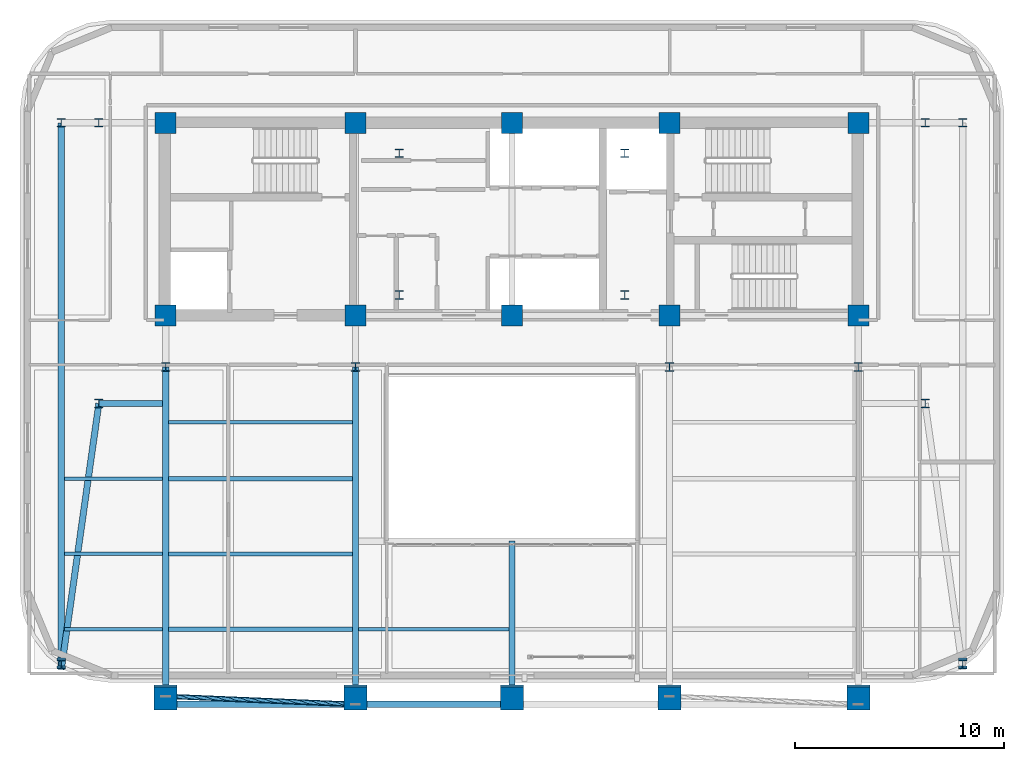
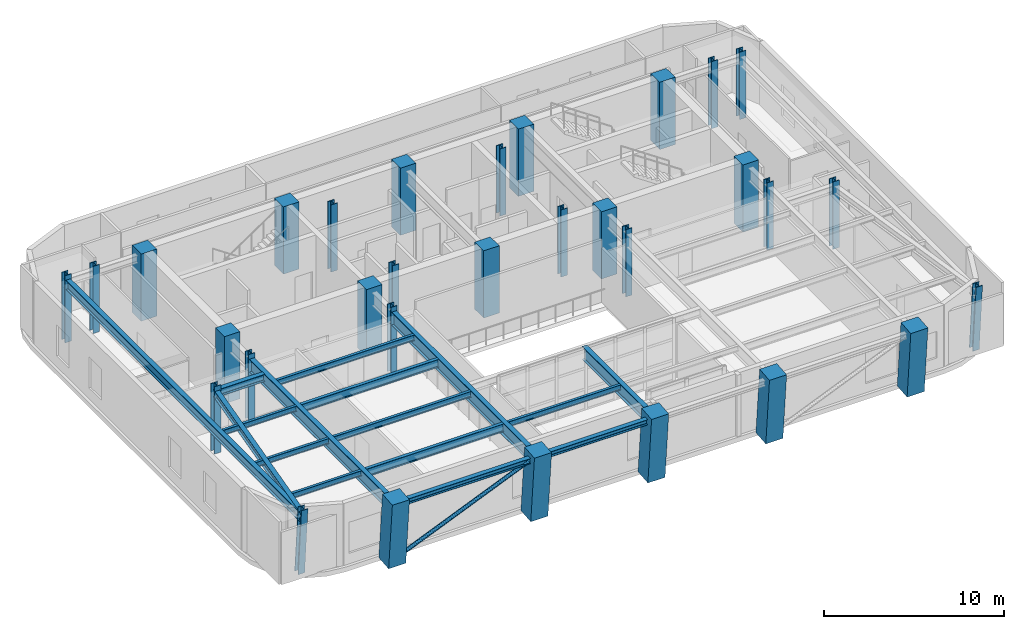
# One storey, part 1 of 13: 31 columns, 16 beams, 1 member.
"""IFC4 building model written with IfcOpenShell, lengths in metres."""

from ifc_helpers import new_model, si_unit, direction, frame, origin, origin_2d, place, context, subcontext, project, spatial, rectangle, hollow_circle, i_section, extrude, material, material_profile, profile_set, type_object, element, save


model = new_model("IFC4")

# Units and contexts
model_context = context("Model", 3, precision=1e-05, world=origin(), true_north=direction((0.0, 1.0)))
body_context = subcontext(model_context, "Body", "Model", "MODEL_VIEW")
ifc_project = project(units=[si_unit("LENGTHUNIT", "METRE"), si_unit("AREAUNIT", "SQUARE_METRE"), si_unit("VOLUMEUNIT", "CUBIC_METRE"), si_unit("PLANEANGLEUNIT", "RADIAN"), si_unit("MASSUNIT", "GRAM", prefix="KILO")], contexts=[model_context])

# Site, building, storey
site_placement = place(None, origin())
site = spatial("IfcSite", under=ifc_project, at=site_placement, CompositionType="ELEMENT")
building_placement = place(site_placement, origin())
building = spatial("IfcBuilding", under=site, at=building_placement, Name="Zarnavel Station Tower", CompositionType="ELEMENT")
storey_placement = place(building_placement, frame((0.0, 0.0, 183.85009765625)))
storey = spatial("IfcBuildingStorey", under=building, at=storey_placement, Name="L50", CompositionType="ELEMENT", Elevation=183.85009765625)

# Columns
ifc_material_1 = material(Name="Steel S355J2", Category="steel")
ifc_material_profile_1 = material_profile(ifc_material_1, i_section(OverallWidth=0.4130859375, OverallDepth=0.4150390625, WebThickness=0.030029296875, FlangeThickness=0.047119140625, FilletRadius=0.014892578125, at=origin_2d()), Name="HD400x347")
ifc_profile_set_1 = profile_set([ifc_material_profile_1], Name="Steel S355J2")
column_type_1 = type_object("IfcColumnType", Name="EC_HD347", PredefinedType="COLUMN", material=ifc_profile_set_1)
column_1_placement = place(storey_placement, frame((7.199951171875, 11.18896484375, 0.0), z_axis=(0.0, -0.079911042422, 0.996801999044), x_axis=(1.0, 0.0, 0.0)))
element("IfcColumn", 1, at=column_1_placement, inside=storey, type_object=column_type_1, Name="L50 Raked Wing Column 1", PredefinedType="COLUMN", context=body_context, shape_type="SweptSolid", body=[
    extrude(i_section(OverallWidth=0.4130859375, OverallDepth=0.4150390625, WebThickness=0.030029296875, FlangeThickness=0.047119140625, FilletRadius=0.014892578125, at=origin_2d()), origin(), (0.0, 0.0, 1.0), 4.564453125),
])
column_2_placement = place(storey_placement, frame((7.199951171875, 37.050048828125, 0.0), z_axis=(0.0, 0.0, 1.0), x_axis=(1.0, 0.0, 0.0)))
element("IfcColumn", 2, at=column_2_placement, inside=storey, type_object=column_type_1, Name="L50 Outer Wing North Column 1", PredefinedType="COLUMN", context=body_context, shape_type="SweptSolid", body=[
    extrude(i_section(OverallWidth=0.4130859375, OverallDepth=0.4150390625, WebThickness=0.030029296875, FlangeThickness=0.047119140625, FilletRadius=0.014892578125, at=origin_2d()), origin(), (0.0, 0.0, 1.0), 4.5498046875),
])
column_3_placement = place(storey_placement, frame((50.39990234375, 11.18896484375, 0.0), z_axis=(0.0, -0.079911042422, 0.996801999044), x_axis=(1.0, 0.0, 0.0)))
element("IfcColumn", 3, at=column_3_placement, inside=storey, type_object=column_type_1, Name="L50 Raked Wing Column 2", PredefinedType="COLUMN", context=body_context, shape_type="SweptSolid", body=[
    extrude(i_section(OverallWidth=0.4130859375, OverallDepth=0.4150390625, WebThickness=0.030029296875, FlangeThickness=0.047119140625, FilletRadius=0.014892578125, at=origin_2d()), origin(), (0.0, 0.0, 1.0), 4.564453125),
])
column_4_placement = place(storey_placement, frame((50.39990234375, 37.050048828125, 0.0), z_axis=(0.0, 0.0, 1.0), x_axis=(1.0, 0.0, 0.0)))
element("IfcColumn", 4, at=column_4_placement, inside=storey, type_object=column_type_1, Name="L50 Outer Wing North Column 2", PredefinedType="COLUMN", context=body_context, shape_type="SweptSolid", body=[
    extrude(i_section(OverallWidth=0.4130859375, OverallDepth=0.4150390625, WebThickness=0.030029296875, FlangeThickness=0.047119140625, FilletRadius=0.014892578125, at=origin_2d()), origin(), (0.0, 0.0, 1.0), 4.5498046875),
])
ifc_material_2 = material(Name="Steel S355J2", Category="steel")
ifc_material_profile_2 = material_profile(ifc_material_2, i_section(OverallWidth=0.4130859375, OverallDepth=0.4150390625, WebThickness=0.030029296875, FlangeThickness=0.047119140625, FilletRadius=0.014892578125, at=origin_2d()), Name="HD400x347")
ifc_profile_set_2 = profile_set([ifc_material_profile_2], Name="Steel S355J2")
column_type_2 = type_object("IfcColumnType", Name="IC_HD347", PredefinedType="COLUMN", material=ifc_profile_set_2)
for number, where, z_axis, x_axis, name in (
    (5, (23.39990234375, 28.800048828125, 0.0), (0.0, 0.0, 1.0), (1.0, 0.0, 0.0), "L50 Mast Spine Column 1"),
    (6, (34.199951171875, 28.800048828125, 0.0), (0.0, 0.0, 1.0), (1.0, 0.0, 0.0), "L50 Mast Spine Column 2"),
    (7, (34.199951171875, 35.60009765625, 0.0), (0.0, 0.0, 1.0), (1.0, 0.0, 0.0), "L50 Mast Spine Column 3"),
    (8, (23.39990234375, 35.60009765625, 0.0), (0.0, 0.0, 1.0), (1.0, 0.0, 0.0), "L50 Mast Spine Column 4"),
    (9, (12.199951171875, 25.35009765625, 0.0), (0.0, 0.0, 1.0), (1.0, 0.0, 0.0), "L50 Inner Spine Column 1"),
    (10, (21.300048828125, 25.35009765625, 0.0), (0.0, 0.0, 1.0), (1.0, 0.0, 0.0), "L50 Inner Spine Column 2"),
    (11, (36.35009765625, 25.35009765625, 0.0), (0.0, 0.0, 1.0), (1.0, 0.0, 0.0), "L50 Inner Spine Column 4"),
    (12, (45.39990234375, 25.35009765625, 0.0), (0.0, 0.0, 1.0), (1.0, 0.0, 0.0), "L50 Inner Spine Column 5"),
    (13, (9.0, 23.60009765625, 0.0), (0.0, 0.0, 1.0), (1.0, 0.0, 0.0), "L50 Inner Wing Spine Column 1-1"),
    (14, (9.0, 37.050048828125, 0.0), (0.0, 0.0, 1.0), (1.0, 0.0, 0.0), "L50 Inner Wing Spine Column 1-2"),
    (15, (48.60009765625, 23.60009765625, 0.0), (0.0, 0.0, 1.0), (1.0, 0.0, 0.0), "L50 Inner Wing Spine Column 2-1"),
    (16, (48.60009765625, 37.050048828125, 0.0), (0.0, 0.0, 1.0), (1.0, 0.0, 0.0), "L50 Inner Wing Spine Column 2-2"),
):
    element("IfcColumn", number, at=place(storey_placement, frame(where, z_axis=z_axis, x_axis=x_axis)), inside=storey, type_object=column_type_2, Name=name, PredefinedType="COLUMN", context=body_context, shape_type="SweptSolid", body=[
        extrude(i_section(OverallWidth=0.4130859375, OverallDepth=0.4150390625, WebThickness=0.030029296875, FlangeThickness=0.047119140625, FilletRadius=0.014892578125, at=origin_2d()), origin(), (0.0, 0.0, 1.0), 4.5498046875),
    ])
ifc_material_3 = material(Name="Concrete C50/60", Category="concrete")
ifc_material_profile_3 = material_profile(ifc_material_3, rectangle(XDim=1.0, YDim=1.0, at=origin_2d()), Name="RC1000x1000")
ifc_profile_set_3 = profile_set([ifc_material_profile_3], Name="Concrete C50/60")
column_type_3 = type_object("IfcColumnType", Name="IC_RC1000", PredefinedType="COLUMN", material=ifc_profile_set_3)
for number, where, z_axis, x_axis, name in (
    (17, (12.199951171875, 27.820068359375, 0.0), (0.0, 0.0, 1.0), (1.0, 0.0, 0.0), "L50 Core Spine Column 1-1"),
    (18, (12.199951171875, 37.050048828125, 0.0), (0.0, 0.0, 1.0), (1.0, 0.0, 0.0), "L50 Core Spine Column 1-2"),
    (19, (21.300048828125, 27.820068359375, 0.0), (0.0, 0.0, 1.0), (1.0, 0.0, 0.0), "L50 Core Spine Column 2-1"),
    (20, (21.300048828125, 37.050048828125, 0.0), (0.0, 0.0, 1.0), (1.0, 0.0, 0.0), "L50 Core Spine Column 2-2"),
    (21, (28.800048828125, 27.820068359375, 0.0), (0.0, 0.0, 1.0), (1.0, 0.0, 0.0), "L50 Core Spine Column 3-1"),
    (22, (28.800048828125, 37.050048828125, 0.0), (0.0, 0.0, 1.0), (1.0, 0.0, 0.0), "L50 Core Spine Column 3-2"),
    (23, (36.35009765625, 27.820068359375, 0.0), (0.0, 0.0, 1.0), (1.0, 0.0, 0.0), "L50 Core Spine Column 4-1"),
    (24, (36.35009765625, 37.050048828125, 0.0), (0.0, 0.0, 1.0), (1.0, 0.0, 0.0), "L50 Core Spine Column 4-2"),
    (25, (45.39990234375, 27.820068359375, 0.0), (0.0, 0.0, 1.0), (1.0, 0.0, 0.0), "L50 Core Spine Column 5-1"),
    (26, (45.39990234375, 37.050048828125, 0.0), (0.0, 0.0, 1.0), (1.0, 0.0, 0.0), "L50 Core Spine Column 5-2"),
):
    element("IfcColumn", number, at=place(storey_placement, frame(where, z_axis=z_axis, x_axis=x_axis)), inside=storey, type_object=column_type_3, Name=name, PredefinedType="COLUMN", context=body_context, shape_type="SweptSolid", body=[
        extrude(rectangle(XDim=1.0, YDim=1.0, at=origin_2d()), origin(), (0.0, 0.0, 1.0), 4.5498046875),
    ])
ifc_material_4 = material(Name="Concrete C50/60", Category="concrete")
ifc_material_profile_4 = material_profile(ifc_material_4, rectangle(XDim=1.10009765625, YDim=1.10009765625, at=origin_2d()), Name="RC1100x1100")
ifc_profile_set_4 = profile_set([ifc_material_profile_4], Name="Concrete C50/60")
column_type_4 = type_object("IfcColumnType", Name="MC_RC1100", PredefinedType="COLUMN", material=ifc_profile_set_4)
for number, where, z_axis, x_axis, name in (
    (27, (12.199951171875, 9.5673828125, 0.0), (0.0, -0.09020808765, 0.995922939249), (1.0, 0.0, 0.0), "L50 Raked South Mega-Column 1"),
    (28, (21.300048828125, 9.5673828125, 0.0), (0.0, -0.09020808765, 0.995922939249), (1.0, 0.0, 0.0), "L50 Raked South Mega-Column 2"),
    (29, (28.800048828125, 9.5673828125, 0.0), (0.0, -0.09020808765, 0.995922939249), (1.0, 0.0, 0.0), "L50 Raked South Mega-Column 3"),
    (30, (36.35009765625, 9.5673828125, 0.0), (0.0, -0.09020808765, 0.995922939249), (1.0, 0.0, 0.0), "L50 Raked South Mega-Column 4"),
    (31, (45.39990234375, 9.5673828125, 0.0), (0.0, -0.09020808765, 0.995922939249), (1.0, 0.0, 0.0), "L50 Raked South Mega-Column 5"),
):
    element("IfcColumn", number, at=place(storey_placement, frame(where, z_axis=z_axis, x_axis=x_axis)), inside=storey, type_object=column_type_4, Name=name, PredefinedType="COLUMN", context=body_context, shape_type="SweptSolid", body=[
        extrude(rectangle(XDim=1.10009765625, YDim=1.10009765625, at=origin_2d()), origin(), (0.0, 0.0, 1.0), 4.568359375),
    ])

# Member
ifc_material_5 = material(Name="Steel S355J2", Category="steel")
ifc_material_profile_5 = material_profile(ifc_material_5, hollow_circle(Radius=0.122314453125, WallThickness=0.010009765625, at=origin_2d()), Name="CHS244.5x10")
ifc_profile_set_5 = profile_set([ifc_material_profile_5], Name="Steel S355J2")
member_type = type_object("IfcMemberType", Name="DB_EXT_CHS245", PredefinedType="BRACE", material=ifc_profile_set_5)
member_placement = place(storey_placement, frame((12.199951171875, 9.5673828125, 0.0), z_axis=(0.906160274703, -0.038167935593, 0.421208695592), x_axis=(0.042083198808, 0.999114109788, 0.0)))
element("IfcMember", 32, at=member_placement, inside=storey, type_object=member_type, Name="L50 Persian Exterior Diagonal Frame Brace 1", PredefinedType="BRACE", context=body_context, shape_type="SweptSolid", body=[
    extrude(hollow_circle(Radius=0.122314453125, WallThickness=0.010009765625, at=origin_2d()), origin(), (0.0, 0.0, 1.0), 10.04248046875),
])

# Beams
ifc_material_6 = material(Name="Steel S355J2", Category="steel")
ifc_material_profile_6 = material_profile(ifc_material_6, i_section(OverallWidth=0.300048828125, OverallDepth=0.360107421875, WebThickness=0.012451171875, FlangeThickness=0.0224609375, FilletRadius=0.027099609375, at=origin_2d()), Name="HEB360")
ifc_profile_set_6 = profile_set([ifc_material_profile_6], Name="Steel S355J2")
beam_type_1 = type_object("IfcBeamType", Name="EB_HEB360", PredefinedType="SPANDREL", material=ifc_profile_set_6)
beam_1_placement = place(storey_placement, frame((12.199951171875, 9.18408203125, 4.0498046875), z_axis=(1.0, 0.0, 0.0), x_axis=(0.0, 1.0, 0.0)))
element("IfcBeam", 33, at=beam_1_placement, inside=storey, type_object=beam_type_1, Name="L50 South Raked Spandrel 1", PredefinedType="SPANDREL", context=body_context, shape_type="SweptSolid", body=[
    extrude(i_section(OverallWidth=0.300048828125, OverallDepth=0.360107421875, WebThickness=0.012451171875, FlangeThickness=0.0224609375, FilletRadius=0.027099609375, at=origin_2d()), origin(), (0.0, 0.0, 1.0), 9.10009765625),
])
beam_2_placement = place(storey_placement, frame((21.300048828125, 9.18408203125, 4.0498046875), z_axis=(1.0, 0.0, 0.0), x_axis=(0.0, 1.0, 0.0)))
element("IfcBeam", 34, at=beam_2_placement, inside=storey, type_object=beam_type_1, Name="L50 South Raked Spandrel 2", PredefinedType="SPANDREL", context=body_context, shape_type="SweptSolid", body=[
    extrude(i_section(OverallWidth=0.300048828125, OverallDepth=0.360107421875, WebThickness=0.012451171875, FlangeThickness=0.0224609375, FilletRadius=0.027099609375, at=origin_2d()), origin(), (0.0, 0.0, 1.0), 7.5),
])
ifc_material_7 = material(Name="Steel S355J2", Category="steel")
ifc_material_profile_7 = material_profile(ifc_material_7, i_section(OverallWidth=0.179931640625, OverallDepth=0.39990234375, WebThickness=0.008544921875, FlangeThickness=0.013427734375, FilletRadius=0.02099609375, at=origin_2d()), Name="IPE400")
ifc_profile_set_7 = profile_set([ifc_material_profile_7], Name="Steel S355J2")
beam_type_2 = type_object("IfcBeamType", Name="FB_IPE400", PredefinedType="BEAM", material=ifc_profile_set_7)
for number, where, z_axis, x_axis, name in (
    (35, (12.344970703125, 16.390380859375, 4.02978515625), (1.0, 0.0, 0.0), (0.0, 1.0, 0.0), "L50 West Bay Beam 2"),
    (36, (12.344970703125, 22.69677734375, 4.02978515625), (1.0, 0.0, 0.0), (0.0, 1.0, 0.0), "L50 West Bay Beam 4"),
):
    element("IfcBeam", number, at=place(storey_placement, frame(where, z_axis=z_axis, x_axis=x_axis)), inside=storey, type_object=beam_type_2, Name=name, PredefinedType="BEAM", context=body_context, shape_type="SweptSolid", body=[
        extrude(i_section(OverallWidth=0.179931640625, OverallDepth=0.39990234375, WebThickness=0.008544921875, FlangeThickness=0.013427734375, FilletRadius=0.02099609375, at=origin_2d()), origin(), (0.0, 0.0, 1.0), 8.81005859375),
    ])
ifc_material_8 = material(Name="Steel S355J2", Category="steel")
ifc_material_profile_8 = material_profile(ifc_material_8, i_section(OverallWidth=0.2099609375, OverallDepth=0.550048828125, WebThickness=0.010986328125, FlangeThickness=0.01708984375, FilletRadius=0.02392578125, at=origin_2d()), Name="IPE550")
ifc_profile_set_8 = profile_set([ifc_material_profile_8], Name="Steel S355J2")
beam_type_3 = type_object("IfcBeamType", Name="FB_IPE550", PredefinedType="BEAM", material=ifc_profile_set_8)
for number, where, z_axis, x_axis, name in (
    (37, (12.344970703125, 12.787353515625, 3.954833984375), (1.0, 0.0, 0.0), (0.0, 1.0, 0.0), "L50 West Bay Beam 1"),
    (38, (12.344970703125, 19.99365234375, 3.954833984375), (1.0, 0.0, 0.0), (0.0, 1.0, 0.0), "L50 West Bay Beam 3"),
):
    element("IfcBeam", number, at=place(storey_placement, frame(where, z_axis=z_axis, x_axis=x_axis)), inside=storey, type_object=beam_type_3, Name=name, PredefinedType="BEAM", context=body_context, shape_type="SweptSolid", body=[
        extrude(i_section(OverallWidth=0.2099609375, OverallDepth=0.550048828125, WebThickness=0.010986328125, FlangeThickness=0.01708984375, FilletRadius=0.02392578125, at=origin_2d()), origin(), (0.0, 0.0, 1.0), 8.81005859375),
    ])
ifc_material_9 = material(Name="Steel S355J2", Category="steel")
ifc_material_profile_9 = material_profile(ifc_material_9, i_section(OverallWidth=0.300048828125, OverallDepth=0.5, WebThickness=0.014404296875, FlangeThickness=0.028076171875, FilletRadius=0.027099609375, at=origin_2d()), Name="HEB500")
ifc_profile_set_9 = profile_set([ifc_material_profile_9], Name="Steel S355J2")
beam_type_4 = type_object("IfcBeamType", Name="FG_HEB500", PredefinedType="USERDEFINED", material=ifc_profile_set_9)
beam_3_placement = place(storey_placement, frame((7.199951171875, 10.849853515625, 3.97998046875), z_axis=(0.139791371244, 0.990180979683, 0.0), x_axis=(-0.990180979683, 0.139791371244, 0.0)))
element("IfcBeam", 39, at=beam_3_placement, inside=storey, type_object=beam_type_4, Name="L50 West Wing South Tie 1", ObjectType="GIRDER", PredefinedType="USERDEFINED", context=body_context, shape_type="SweptSolid", body=[
    extrude(i_section(OverallWidth=0.300048828125, OverallDepth=0.5, WebThickness=0.014404296875, FlangeThickness=0.028076171875, FilletRadius=0.027099609375, at=origin_2d()), origin(), (0.0, 0.0, 1.0), 12.876708984375),
])
beam_4_placement = place(storey_placement, frame((9.0, 23.60009765625, 3.97998046875), z_axis=(1.0, 0.0, 0.0), x_axis=(0.0, 1.0, 0.0)))
element("IfcBeam", 40, at=beam_4_placement, inside=storey, type_object=beam_type_4, Name="L50 West Wing South Tie 2", ObjectType="GIRDER", PredefinedType="USERDEFINED", context=body_context, shape_type="SweptSolid", body=[
    extrude(i_section(OverallWidth=0.300048828125, OverallDepth=0.5, WebThickness=0.014404296875, FlangeThickness=0.028076171875, FilletRadius=0.027099609375, at=origin_2d()), origin(), (0.0, 0.0, 1.0), 3.054931640625),
])
ifc_material_10 = material(Name="Steel S355J2", Category="steel")
ifc_material_profile_10 = material_profile(ifc_material_10, i_section(OverallWidth=0.300048828125, OverallDepth=0.64990234375, WebThickness=0.01611328125, FlangeThickness=0.031005859375, FilletRadius=0.027099609375, at=origin_2d()), Name="HEB650")
ifc_profile_set_10 = profile_set([ifc_material_profile_10], Name="Steel S355J2")
beam_type_5 = type_object("IfcBeamType", Name="FG_HEB650", PredefinedType="USERDEFINED", material=ifc_profile_set_10)
beam_5_placement = place(storey_placement, frame((7.199951171875, 10.849853515625, 3.90478515625), z_axis=(0.0, 1.0, 0.0), x_axis=(-1.0, 0.0, 0.0)))
element("IfcBeam", 41, at=beam_5_placement, inside=storey, type_object=beam_type_5, Name="L50 Wing NS Girder 1", ObjectType="GIRDER", PredefinedType="USERDEFINED", context=body_context, shape_type="SweptSolid", body=[
    extrude(i_section(OverallWidth=0.300048828125, OverallDepth=0.64990234375, WebThickness=0.01611328125, FlangeThickness=0.031005859375, FilletRadius=0.027099609375, at=origin_2d()), origin(), (0.0, 0.0, 1.0), 26.2001953125),
])
ifc_material_11 = material(Name="Steel S355J2", Category="steel")
ifc_material_profile_11 = material_profile(ifc_material_11, i_section(OverallWidth=0.300048828125, OverallDepth=0.89990234375, WebThickness=0.0185546875, FlangeThickness=0.034912109375, FilletRadius=0.030029296875, at=origin_2d()), Name="HEB900")
ifc_profile_set_11 = profile_set([ifc_material_profile_11], Name="Steel S355J2")
beam_type_6 = type_object("IfcBeamType", Name="FG_HEB900", PredefinedType="USERDEFINED", material=ifc_profile_set_11)
for number, where, z_axis, x_axis, name in (
    (42, (12.199951171875, 9.18408203125, 3.77978515625), (0.0, 1.0, 0.0), (-1.0, 0.0, 0.0), "L50 South-Zone NS Girder 1"),
    (43, (21.300048828125, 9.18408203125, 3.77978515625), (0.0, 1.0, 0.0), (-1.0, 0.0, 0.0), "L50 South-Zone NS Girder 2"),
):
    element("IfcBeam", number, at=place(storey_placement, frame(where, z_axis=z_axis, x_axis=x_axis)), inside=storey, type_object=beam_type_6, Name=name, ObjectType="GIRDER", PredefinedType="USERDEFINED", context=body_context, shape_type="SweptSolid", body=[
        extrude(i_section(OverallWidth=0.300048828125, OverallDepth=0.89990234375, WebThickness=0.0185546875, FlangeThickness=0.034912109375, FilletRadius=0.030029296875, at=origin_2d()), origin(), (0.0, 0.0, 1.0), 16.166015625),
    ])
beam_6_placement = place(storey_placement, frame((28.800048828125, 9.18408203125, 3.77978515625), z_axis=(0.0, 1.0, 0.0), x_axis=(-1.0, 0.0, 0.0)))
element("IfcBeam", 44, at=beam_6_placement, inside=storey, type_object=beam_type_6, Name="L50 Central Atrium-South Girder", ObjectType="GIRDER", PredefinedType="USERDEFINED", context=body_context, shape_type="SweptSolid", body=[
    extrude(i_section(OverallWidth=0.300048828125, OverallDepth=0.89990234375, WebThickness=0.0185546875, FlangeThickness=0.034912109375, FilletRadius=0.030029296875, at=origin_2d()), origin(), (0.0, 0.0, 1.0), 7.81591796875),
])
ifc_material_12 = material(Name="Steel S355J2", Category="steel")
ifc_material_profile_12 = material_profile(ifc_material_12, i_section(OverallWidth=0.169921875, OverallDepth=0.360107421875, WebThickness=0.008056640625, FlangeThickness=0.0126953125, FilletRadius=0.01806640625, at=origin_2d()), Name="IPE360")
ifc_profile_set_12 = profile_set([ifc_material_profile_12], Name="Steel S355J2")
beam_type_7 = type_object("IfcBeamType", Name="FJ_IPE360", PredefinedType="JOIST", material=ifc_profile_set_12)
beam_7_placement = place(storey_placement, frame((21.445068359375, 12.787353515625, 4.0498046875), z_axis=(1.0, 0.0, 0.0), x_axis=(0.0, 1.0, 0.0)))
element("IfcBeam", 45, at=beam_7_placement, inside=storey, type_object=beam_type_7, Name="L50 Mid-West Joist 1", PredefinedType="JOIST", context=body_context, shape_type="SweptSolid", body=[
    extrude(i_section(OverallWidth=0.169921875, OverallDepth=0.360107421875, WebThickness=0.008056640625, FlangeThickness=0.0126953125, FilletRadius=0.01806640625, at=origin_2d()), origin(), (0.0, 0.0, 1.0), 7.2099609375),
])
for number, where, z_axis, x_axis, name in (
    (46, (7.344970703125, 12.787353515625, 4.0498046875), (1.0, 0.0, 0.0), (0.0, 1.0, 0.0), "L50 West Wing Joist 1"),
    (47, (7.344970703125, 16.390380859375, 4.0498046875), (1.0, 0.0, 0.0), (0.0, 1.0, 0.0), "L50 West Wing Joist 2"),
    (48, (7.344970703125, 19.99365234375, 4.0498046875), (1.0, 0.0, 0.0), (0.0, 1.0, 0.0), "L50 West Wing Joist 3"),
):
    element("IfcBeam", number, at=place(storey_placement, frame(where, z_axis=z_axis, x_axis=x_axis)), inside=storey, type_object=beam_type_7, Name=name, PredefinedType="JOIST", context=body_context, shape_type="SweptSolid", body=[
        extrude(i_section(OverallWidth=0.169921875, OverallDepth=0.360107421875, WebThickness=0.008056640625, FlangeThickness=0.0126953125, FilletRadius=0.01806640625, at=origin_2d()), origin(), (0.0, 0.0, 1.0), 4.7099609375),
    ])

save(model, "model.ifc")
